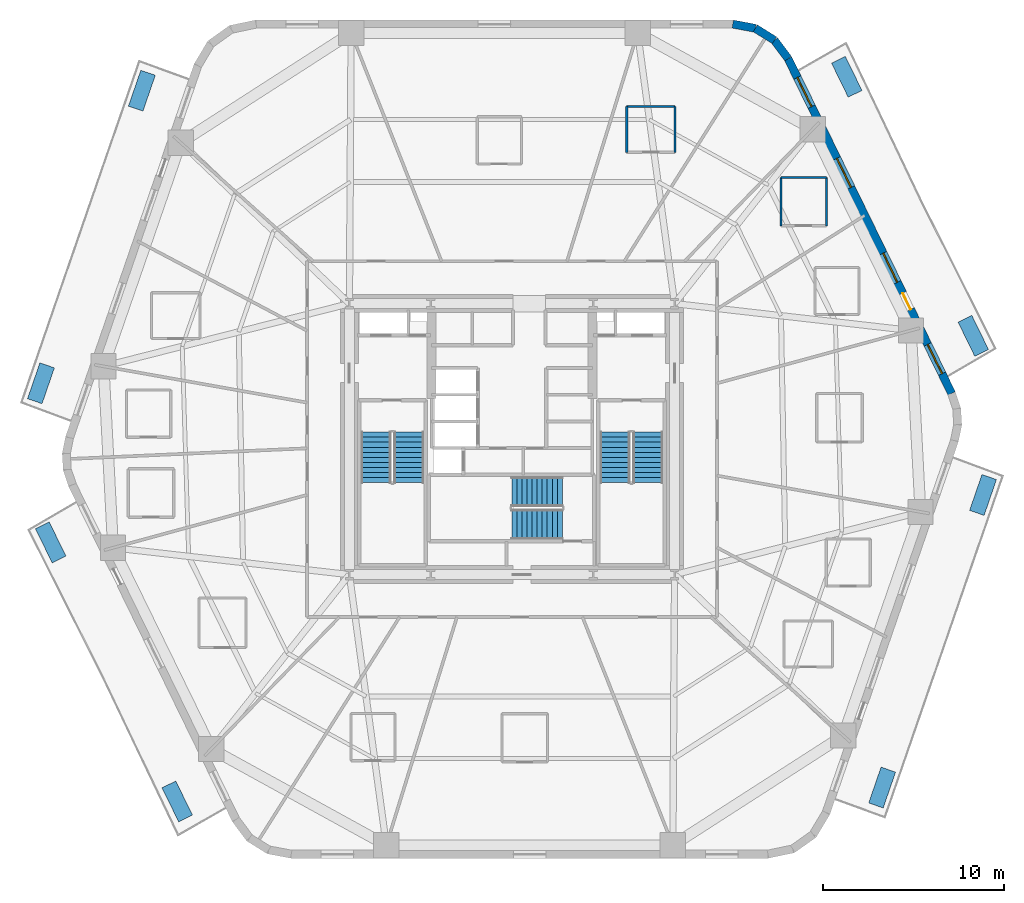
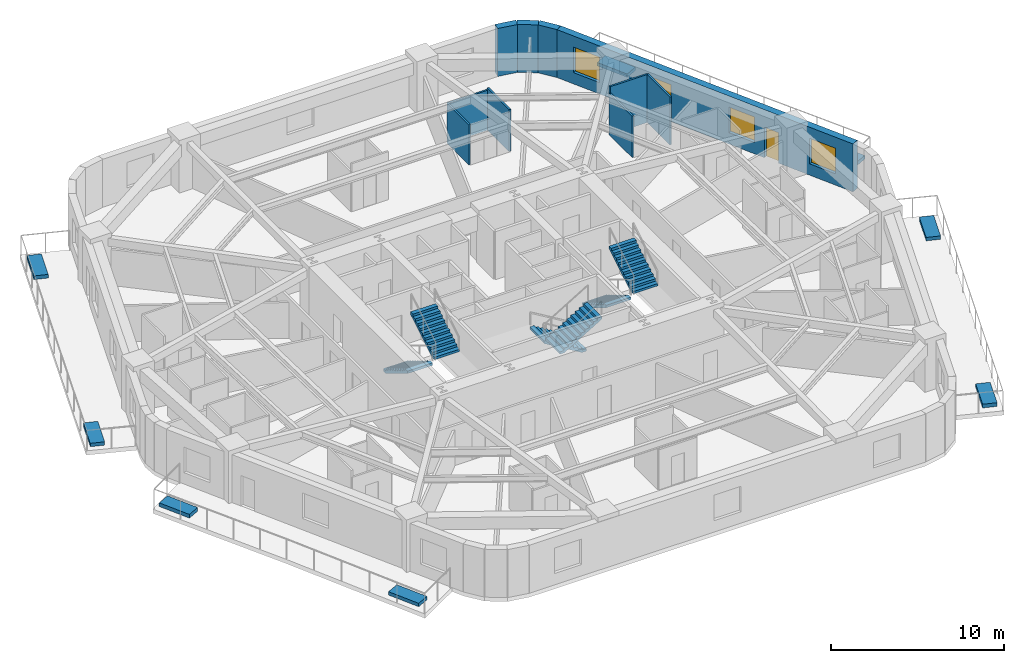
# One storey, part 7 of 10: 10 walls, 8 discrete accessories, 6 stair flights, 4 windows, 1 door, 5 openings, 3 elements without a shape of their own.
"""IFC4 building model written with IfcOpenShell, lengths in metres."""

from ifc_helpers import new_model, si_unit, direction, frame, frame_2d, origin, origin_2d, place, context, subcontext, project, spatial, polyline, rectangle, outline, extrude, material, layer, layer_set, type_object, element, fill, aggregate, save


model = new_model("IFC4")

# Units and contexts
model_context = context("Model", 3, precision=1e-05, world=origin(), true_north=direction((0.0, 1.0)))
body_context = subcontext(model_context, "Body", "Model", "MODEL_VIEW")
ifc_project = project(units=[si_unit("LENGTHUNIT", "METRE"), si_unit("AREAUNIT", "SQUARE_METRE"), si_unit("VOLUMEUNIT", "CUBIC_METRE"), si_unit("PLANEANGLEUNIT", "RADIAN"), si_unit("MASSUNIT", "GRAM", prefix="KILO")], contexts=[model_context])

# Site, building, storey
site_placement = place(None, origin())
site = spatial("IfcSite", under=ifc_project, at=site_placement, CompositionType="ELEMENT")
building_placement = place(site_placement, origin())
building = spatial("IfcBuilding", under=site, at=building_placement, Name="Kilnhurst Terrace Hotel", CompositionType="ELEMENT")
storey_placement = place(building_placement, frame((0.0, 0.0, 82.300048828125)))
storey = spatial("IfcBuildingStorey", under=building, at=storey_placement, Name="L19", CompositionType="ELEMENT", Elevation=82.300048828125)

# Walls
ifc_material_1 = material(Name="Precast concrete C40/50", Category="concrete")
ifc_layer_1 = layer(ifc_material_1, 0.449951171875, Name="Precast concrete C40/50")
ifc_layer_set_1 = layer_set([ifc_layer_1], Name="Precast concrete C40/50")
wall_type_1 = type_object("IfcWallType", Name="WL-BRK-450", PredefinedType="SOLIDWALL", material=ifc_layer_set_1)
wall_1_placement = place(storey_placement, frame((15.28369140625, 21.0625, 0.0), z_axis=(0.0, 0.0, 1.0), x_axis=(-0.597595366449, 0.801797841104, 0.0)))
element("IfcWall", 1, at=wall_1_placement, inside=storey, type_object=wall_type_1, Name="L19 Rounded Corner Brick Wall C4.1", PredefinedType="SOLIDWALL", context=body_context, shape_type="SweptSolid", body=[
    extrude(rectangle(XDim=1.2685546875, YDim=0.449951171875, at=frame_2d((0.63427734375, 0.0))), origin(), (0.0, 0.0, 1.0), 3.3798828125),
])
wall_2_placement = place(storey_placement, frame((14.525634765625, 22.07958984375, 0.0), z_axis=(0.0, 0.0, 1.0), x_axis=(-0.848185203596, 0.529699783275, 0.0)))
element("IfcWall", 2, at=wall_2_placement, inside=storey, type_object=wall_type_1, Name="L19 Rounded Corner Brick Wall C4.2", PredefinedType="SOLIDWALL", context=body_context, shape_type="SweptSolid", body=[
    extrude(rectangle(XDim=1.247314453125, YDim=0.449951171875, at=frame_2d((0.62353515625, 0.0))), origin(), (0.0, 0.0, 1.0), 3.3798828125),
])
wall_3_placement = place(storey_placement, frame((13.4677734375, 22.740234375, 0.0), z_axis=(0.0, 0.0, 1.0), x_axis=(-0.982717174228, 0.185113358451, 0.0)))
element("IfcWall", 3, at=wall_3_placement, inside=storey, type_object=wall_type_1, Name="L19 Rounded Corner Brick Wall C4.3", PredefinedType="SOLIDWALL", context=body_context, shape_type="SweptSolid", body=[
    extrude(rectangle(XDim=1.268798828125, YDim=0.449951171875, at=frame_2d((0.63427734375, 0.0))), origin(), (0.0, 0.0, 1.0), 3.3798828125),
])

# Wall, openings, door, windows
wall_4_placement = place(storey_placement, frame((24.335693359375, 2.532470703125, 0.0), z_axis=(0.0, 0.0, 1.0), x_axis=(-0.438931326393, 0.898520612291, 0.0)))
wall_4 = element("IfcWall", 4, at=wall_4_placement, inside=storey, type_object=wall_type_1, Name="L19 Exterior Brick Facade Wall F3", PredefinedType="SOLIDWALL", context=body_context, shape_type="SweptSolid", body=[
    extrude(rectangle(XDim=20.622802734375, YDim=0.449951171875, at=frame_2d((10.3115234375, 0.0))), origin(), (0.0, 0.0, 1.0), 3.3798828125),
])
opening_1_placement = place(wall_4_placement, frame((5.1708984375, 0.0, 0.0)))
opening_1 = element("IfcOpeningElement", 5, at=opening_1_placement, cuts=wall_4, Name="Opening BD-1000", PredefinedType="OPENING", context=body_context, shape_type="SweptSolid", body=[
    extrude(rectangle(XDim=1.0, YDim=2.14990234375, at=frame_2d((0.5, 1.074951171875))), frame((0.0, 0.23486328125, 0.0), z_axis=(0.0, -1.0, 0.0), x_axis=(1.0, 0.0, 0.0)), (0.0, 0.0, 1.0), 0.469970703125),
])
opening_2_placement = place(wall_4_placement, frame((6.842041015625, 0.0, 0.800048828125)))
opening_2 = element("IfcOpeningElement", 6, at=opening_2_placement, cuts=wall_4, Name="Opening W-01", PredefinedType="OPENING", context=body_context, shape_type="SweptSolid", body=[
    extrude(rectangle(XDim=1.800048828125, YDim=1.800048828125, at=frame_2d((0.89990234375, 0.89990234375))), frame((0.0, 0.23486328125, 0.0), z_axis=(0.0, -1.0, 0.0), x_axis=(1.0, 0.0, 0.0)), (0.0, 0.0, 1.0), 0.469970703125),
])
opening_3_placement = place(wall_4_placement, frame((12.68310546875, 0.0, 0.800048828125)))
opening_3 = element("IfcOpeningElement", 7, at=opening_3_placement, cuts=wall_4, Name="Opening W-01", PredefinedType="OPENING", context=body_context, shape_type="SweptSolid", body=[
    extrude(rectangle(XDim=1.800048828125, YDim=1.800048828125, at=frame_2d((0.89990234375, 0.89990234375))), frame((0.0, 0.23486328125, 0.0), z_axis=(0.0, -1.0, 0.0), x_axis=(1.0, 0.0, 0.0)), (0.0, 0.0, 1.0), 0.469970703125),
])
opening_4_placement = place(wall_4_placement, frame((17.659912109375, 0.0, 0.800048828125)))
opening_4 = element("IfcOpeningElement", 8, at=opening_4_placement, cuts=wall_4, Name="Opening W-01", PredefinedType="OPENING", context=body_context, shape_type="SweptSolid", body=[
    extrude(rectangle(XDim=1.800048828125, YDim=1.800048828125, at=frame_2d((0.89990234375, 0.89990234375))), frame((0.0, 0.23486328125, 0.0), z_axis=(0.0, -1.0, 0.0), x_axis=(1.0, 0.0, 0.0)), (0.0, 0.0, 1.0), 0.469970703125),
])
opening_5_placement = place(wall_4_placement, frame((1.214111328125, 0.0, 0.800048828125)))
opening_5 = element("IfcOpeningElement", 9, at=opening_5_placement, cuts=wall_4, Name="Opening W-01", PredefinedType="OPENING", context=body_context, shape_type="SweptSolid", body=[
    extrude(rectangle(XDim=1.800048828125, YDim=1.800048828125, at=frame_2d((0.89990234375, 0.89990234375))), frame((0.0, 0.23486328125, 0.0), z_axis=(0.0, -1.0, 0.0), x_axis=(1.0, 0.0, 0.0)), (0.0, 0.0, 1.0), 0.469970703125),
])
ifc_material_2 = material(Name="Thermally Broken Bronze Aluminium Alloy 6063-T6 and Laminated Glass", Category="aluminium")
door_type = type_object("IfcDoorType", Name="DR-EXT-BAL-1000", OperationType="NOTDEFINED", PredefinedType="DOOR", material=ifc_material_2)
door_placement = place(opening_1_placement, origin())
door = element("IfcDoor", 10, at=door_placement, inside=storey, type_object=door_type, Name="L19 Planted Balcony Door BAL-L1B", OperationType="SINGLE_SWING_LEFT", OverallHeight=2.14990234375, OverallWidth=1.0, PredefinedType="DOOR", context=body_context, shape_type="SweptSolid", body=[
    extrude(rectangle(XDim=1.0, YDim=2.14990234375, at=frame_2d((0.5, 1.074951171875))), frame((0.0, 0.02490234375, 0.0), z_axis=(0.0, -1.0, 0.0), x_axis=(1.0, 0.0, 0.0)), (0.0, 0.0, 1.0), 0.050048828125),
])
fill(opening_1, door)
ifc_material_3 = material(Name="Thermally Broken Bronze Aluminium Alloy 6063-T6 and Low-E Glass", Category="aluminium")
window_type = type_object("IfcWindowType", Name="WIN-1800X1800", PartitioningType="SINGLE_PANEL", PredefinedType="WINDOW", material=ifc_material_3)
window_1_placement = place(opening_2_placement, origin())
window_1 = element("IfcWindow", 11, at=window_1_placement, inside=storey, type_object=window_type, Name="L19 Deep-Set Masonry Window F3.1", OverallHeight=1.800048828125, OverallWidth=1.800048828125, PartitioningType="SINGLE_PANEL", PredefinedType="WINDOW", context=body_context, shape_type="SweptSolid", body=[
    extrude(rectangle(XDim=1.800048828125, YDim=1.800048828125, at=frame_2d((0.89990234375, 0.89990234375))), frame((0.0, 0.030029296875, 0.0), z_axis=(0.0, -1.0, 0.0), x_axis=(1.0, 0.0, 0.0)), (0.0, 0.0, 1.0), 0.06005859375),
])
fill(opening_2, window_1)
window_2_placement = place(opening_3_placement, origin())
window_2 = element("IfcWindow", 12, at=window_2_placement, inside=storey, type_object=window_type, Name="L19 Deep-Set Masonry Window F3.2", OverallHeight=1.800048828125, OverallWidth=1.800048828125, PartitioningType="SINGLE_PANEL", PredefinedType="WINDOW", context=body_context, shape_type="SweptSolid", body=[
    extrude(rectangle(XDim=1.800048828125, YDim=1.800048828125, at=frame_2d((0.89990234375, 0.89990234375))), frame((0.0, 0.030029296875, 0.0), z_axis=(0.0, -1.0, 0.0), x_axis=(1.0, 0.0, 0.0)), (0.0, 0.0, 1.0), 0.06005859375),
])
fill(opening_3, window_2)
window_3_placement = place(opening_4_placement, origin())
window_3 = element("IfcWindow", 13, at=window_3_placement, inside=storey, type_object=window_type, Name="L19 Deep-Set Masonry Window F3.3", OverallHeight=1.800048828125, OverallWidth=1.800048828125, PartitioningType="SINGLE_PANEL", PredefinedType="WINDOW", context=body_context, shape_type="SweptSolid", body=[
    extrude(rectangle(XDim=1.800048828125, YDim=1.800048828125, at=frame_2d((0.89990234375, 0.89990234375))), frame((0.0, 0.030029296875, 0.0), z_axis=(0.0, -1.0, 0.0), x_axis=(1.0, 0.0, 0.0)), (0.0, 0.0, 1.0), 0.06005859375),
])
fill(opening_4, window_3)
window_4_placement = place(opening_5_placement, origin())
window_4 = element("IfcWindow", 14, at=window_4_placement, inside=storey, type_object=window_type, Name="L19 Deep-Set Masonry Window F3.4", OverallHeight=1.800048828125, OverallWidth=1.800048828125, PartitioningType="SINGLE_PANEL", PredefinedType="WINDOW", context=body_context, shape_type="SweptSolid", body=[
    extrude(rectangle(XDim=1.800048828125, YDim=1.800048828125, at=frame_2d((0.89990234375, 0.89990234375))), frame((0.0, 0.030029296875, 0.0), z_axis=(0.0, -1.0, 0.0), x_axis=(1.0, 0.0, 0.0)), (0.0, 0.0, 1.0), 0.06005859375),
])
fill(opening_5, window_4)

# Walls
ifc_material_4 = material(Name="120 mm Moisture-Resistant Tile-Backed Bathroom Partition")
ifc_layer_2 = layer(ifc_material_4, 0.1201171875, Name="120 mm Moisture-Resistant Tile-Backed Bathroom Partition")
ifc_layer_set_2 = layer_set([ifc_layer_2], Name="120 mm Moisture-Resistant Tile-Backed Bathroom Partition")
wall_type_2 = type_object("IfcWallType", Name="WL-PART-120", PredefinedType="PARTITIONING", material=ifc_layer_set_2)
wall_5_placement = place(storey_placement, frame((17.40087890625, 11.80908203125, 0.0), z_axis=(0.0, 0.0, 1.0), x_axis=(0.0, 1.0, 0.0)))
element("IfcWall", 15, at=wall_5_placement, inside=storey, type_object=wall_type_2, Name="L19 Interior Wall WL-L19-BTH-02-2", PredefinedType="PARTITIONING", context=body_context, shape_type="SweptSolid", body=[
    extrude(rectangle(XDim=2.679931640625, YDim=0.1201171875, at=frame_2d((1.33984375, 0.0))), origin(), (0.0, 0.0, 1.0), 3.3798828125),
])
wall_6_placement = place(storey_placement, frame((17.40087890625, 14.489013671875, 0.0), z_axis=(0.0, 0.0, 1.0), x_axis=(-1.0, 0.0, 0.0)))
element("IfcWall", 16, at=wall_6_placement, inside=storey, type_object=wall_type_2, Name="L19 Interior Wall WL-L19-BTH-02-3", PredefinedType="PARTITIONING", context=body_context, shape_type="SweptSolid", body=[
    extrude(rectangle(XDim=2.519775390625, YDim=0.1201171875, at=frame_2d((1.259765625, 0.0))), origin(), (0.0, 0.0, 1.0), 3.3798828125),
])
wall_7_placement = place(storey_placement, frame((14.881103515625, 14.489013671875, 0.0), z_axis=(0.0, 0.0, 1.0), x_axis=(0.0, -1.0, 0.0)))
element("IfcWall", 17, at=wall_7_placement, inside=storey, type_object=wall_type_2, Name="L19 Interior Wall WL-L19-BTH-02-4", PredefinedType="PARTITIONING", context=body_context, shape_type="SweptSolid", body=[
    extrude(rectangle(XDim=2.679931640625, YDim=0.1201171875, at=frame_2d((1.33984375, 0.0))), origin(), (0.0, 0.0, 1.0), 2.906494140625),
])
wall_8_placement = place(storey_placement, frame((9.031005859375, 15.876953125, 0.0), z_axis=(0.0, 0.0, 1.0), x_axis=(0.0, 1.0, 0.0)))
element("IfcWall", 18, at=wall_8_placement, inside=storey, type_object=wall_type_2, Name="L19 Interior Wall WL-L19-BTH-04-2", PredefinedType="PARTITIONING", context=body_context, shape_type="SweptSolid", body=[
    extrude(rectangle(XDim=2.5400390625, YDim=0.1201171875, at=frame_2d((1.27001953125, 0.0))), origin(), (0.0, 0.0, 1.0), 2.9521484375),
])
wall_9_placement = place(storey_placement, frame((9.031005859375, 18.4169921875, 0.0), z_axis=(0.0, 0.0, 1.0), x_axis=(-1.0, 0.0, 0.0)))
element("IfcWall", 19, at=wall_9_placement, inside=storey, type_object=wall_type_2, Name="L19 Interior Wall WL-L19-BTH-04-3", PredefinedType="PARTITIONING", context=body_context, shape_type="SweptSolid", body=[
    extrude(rectangle(XDim=2.679931640625, YDim=0.1201171875, at=frame_2d((1.33984375, 0.0))), origin(), (0.0, 0.0, 1.0), 2.820068359375),
])
wall_10_placement = place(storey_placement, frame((6.35107421875, 18.4169921875, 0.0), z_axis=(0.0, 0.0, 1.0), x_axis=(0.0, -1.0, 0.0)))
element("IfcWall", 20, at=wall_10_placement, inside=storey, type_object=wall_type_2, Name="L19 Interior Wall WL-L19-BTH-04-4", PredefinedType="PARTITIONING", context=body_context, shape_type="SweptSolid", body=[
    extrude(rectangle(XDim=2.5400390625, YDim=0.1201171875, at=frame_2d((1.27001953125, 0.0))), origin(), (0.0, 0.0, 1.0), 2.8203125),
])

# Stair, stair flights
ifc_material_5 = material(Name="Concrete C50/60", Category="concrete")
stair_type = type_object("IfcStairType", Name="STR-CORE-1660", PredefinedType="HALF_TURN_STAIR", material=ifc_material_5)
stair_1_placement = place(storey_placement, origin())
stair_1 = element("IfcStair", 21, at=stair_1_placement, inside=storey, type_object=stair_type, Name="L19 ST-1", PredefinedType="HALF_TURN_STAIR")
stair_flight_type = type_object("IfcStairFlightType", Name="FLT-RC-1660", PredefinedType="STRAIGHT", material=ifc_material_5)
stair_flight_1_placement = place(storey_placement, frame((-7.52001953125, 0.389892578125, 0.0), z_axis=(0.0, 0.0, 1.0), x_axis=(0.0, -1.0, 0.0)))
stair_flight_1 = element("IfcStairFlight", 22, at=stair_flight_1_placement, type_object=stair_flight_type, Name="ST-1 flight 1", NumberOfRisers=11, NumberOfTreads=10, PredefinedType="STRAIGHT", RiserHeight=0.168181818, TreadLength=0.28, context=body_context, shape_type="SweptSolid", body=[
    extrude(outline(polyline([(0.0, 0.0), (0.0, 0.168212890625), (0.280029296875, 0.168212890625), (0.280029296875, 0.33642578125), (0.56005859375, 0.33642578125), (0.56005859375, 0.504638671875), (0.840087890625, 0.504638671875), (0.840087890625, 0.672607421875), (1.1201171875, 0.672607421875), (1.1201171875, 0.8408203125), (1.39990234375, 0.8408203125), (1.39990234375, 1.009033203125), (1.679931640625, 1.009033203125), (1.679931640625, 1.17724609375), (1.9599609375, 1.17724609375), (1.9599609375, 1.345458984375), (2.239990234375, 1.345458984375), (2.239990234375, 1.513671875), (2.52001953125, 1.513671875), (2.52001953125, 1.681884765625), (2.800048828125, 1.681884765625), (2.800048828125, 1.85009765625), (2.800048828125, 1.5068359375), (0.291015625, 0.0), (0.0, 0.0)])), frame((0.0, 0.830078125, 0.0), z_axis=(0.0, -1.0, 0.0), x_axis=(1.0, 0.0, 0.0)), (0.0, 0.0, 1.0), 1.659912109375),
])
stair_flight_2_placement = place(storey_placement, frame((-5.7099609375, -2.409912109375, 1.849853515625), z_axis=(0.0, 0.0, 1.0), x_axis=(0.0, 1.0, 0.0)))
stair_flight_2 = element("IfcStairFlight", 23, at=stair_flight_2_placement, type_object=stair_flight_type, Name="ST-1 flight 2", NumberOfRisers=11, NumberOfTreads=10, PredefinedType="STRAIGHT", RiserHeight=0.168181818, TreadLength=0.28, context=body_context, shape_type="SweptSolid", body=[
    extrude(outline(polyline([(0.0, 0.0), (0.0, 0.168212890625), (0.280029296875, 0.168212890625), (0.280029296875, 0.33642578125), (0.56005859375, 0.33642578125), (0.56005859375, 0.504638671875), (0.840087890625, 0.504638671875), (0.840087890625, 0.672607421875), (1.1201171875, 0.672607421875), (1.1201171875, 0.8408203125), (1.39990234375, 0.8408203125), (1.39990234375, 1.009033203125), (1.679931640625, 1.009033203125), (1.679931640625, 1.17724609375), (1.9599609375, 1.17724609375), (1.9599609375, 1.345458984375), (2.239990234375, 1.345458984375), (2.239990234375, 1.513671875), (2.52001953125, 1.513671875), (2.52001953125, 1.681884765625), (2.800048828125, 1.681884765625), (2.800048828125, 1.85009765625), (2.800048828125, 1.5068359375), (0.291015625, 0.0), (0.0, 0.0)])), frame((0.0, 0.830078125, 0.0), z_axis=(0.0, -1.0, 0.0), x_axis=(1.0, 0.0, 0.0)), (0.0, 0.0, 1.0), 1.659912109375),
])
aggregate(stair_1, [stair_flight_1, stair_flight_2])

stair_2_placement = place(storey_placement, origin())
stair_2 = element("IfcStair", 24, at=stair_2_placement, inside=storey, type_object=stair_type, Name="L19 ST-2", PredefinedType="HALF_TURN_STAIR")
stair_flight_3_placement = place(storey_placement, frame((5.7099609375, 0.389892578125, 0.0), z_axis=(0.0, 0.0, 1.0), x_axis=(0.0, -1.0, 0.0)))
stair_flight_3 = element("IfcStairFlight", 25, at=stair_flight_3_placement, type_object=stair_flight_type, Name="ST-2 flight 1", NumberOfRisers=11, NumberOfTreads=10, PredefinedType="STRAIGHT", RiserHeight=0.168181818, TreadLength=0.28, context=body_context, shape_type="SweptSolid", body=[
    extrude(outline(polyline([(0.0, 0.0), (0.0, 0.168212890625), (0.280029296875, 0.168212890625), (0.280029296875, 0.33642578125), (0.56005859375, 0.33642578125), (0.56005859375, 0.504638671875), (0.840087890625, 0.504638671875), (0.840087890625, 0.672607421875), (1.1201171875, 0.672607421875), (1.1201171875, 0.8408203125), (1.39990234375, 0.8408203125), (1.39990234375, 1.009033203125), (1.679931640625, 1.009033203125), (1.679931640625, 1.17724609375), (1.9599609375, 1.17724609375), (1.9599609375, 1.345458984375), (2.239990234375, 1.345458984375), (2.239990234375, 1.513671875), (2.52001953125, 1.513671875), (2.52001953125, 1.681884765625), (2.800048828125, 1.681884765625), (2.800048828125, 1.85009765625), (2.800048828125, 1.5068359375), (0.291015625, 0.0), (0.0, 0.0)])), frame((0.0, 0.830078125, 0.0), z_axis=(0.0, -1.0, 0.0), x_axis=(1.0, 0.0, 0.0)), (0.0, 0.0, 1.0), 1.659912109375),
])
stair_flight_4_placement = place(storey_placement, frame((7.52001953125, -2.409912109375, 1.849853515625), z_axis=(0.0, 0.0, 1.0), x_axis=(0.0, 1.0, 0.0)))
stair_flight_4 = element("IfcStairFlight", 26, at=stair_flight_4_placement, type_object=stair_flight_type, Name="ST-2 flight 2", NumberOfRisers=11, NumberOfTreads=10, PredefinedType="STRAIGHT", RiserHeight=0.168181818, TreadLength=0.28, context=body_context, shape_type="SweptSolid", body=[
    extrude(outline(polyline([(0.0, 0.0), (0.0, 0.168212890625), (0.280029296875, 0.168212890625), (0.280029296875, 0.33642578125), (0.56005859375, 0.33642578125), (0.56005859375, 0.504638671875), (0.840087890625, 0.504638671875), (0.840087890625, 0.672607421875), (1.1201171875, 0.672607421875), (1.1201171875, 0.8408203125), (1.39990234375, 0.8408203125), (1.39990234375, 1.009033203125), (1.679931640625, 1.009033203125), (1.679931640625, 1.17724609375), (1.9599609375, 1.17724609375), (1.9599609375, 1.345458984375), (2.239990234375, 1.345458984375), (2.239990234375, 1.513671875), (2.52001953125, 1.513671875), (2.52001953125, 1.681884765625), (2.800048828125, 1.681884765625), (2.800048828125, 1.85009765625), (2.800048828125, 1.5068359375), (0.291015625, 0.0), (0.0, 0.0)])), frame((0.0, 0.830078125, 0.0), z_axis=(0.0, -1.0, 0.0), x_axis=(1.0, 0.0, 0.0)), (0.0, 0.0, 1.0), 1.659912109375),
])
aggregate(stair_2, [stair_flight_3, stair_flight_4])

stair_3_placement = place(storey_placement, origin())
stair_3 = element("IfcStair", 27, at=stair_3_placement, inside=storey, type_object=stair_type, Name="L19 ST-3", PredefinedType="HALF_TURN_STAIR")
stair_flight_5_placement = place(storey_placement, frame((2.7900390625, -2.909912109375, 0.0), z_axis=(0.0, 0.0, 1.0), x_axis=(-1.0, 0.0, 0.0)))
stair_flight_5 = element("IfcStairFlight", 28, at=stair_flight_5_placement, type_object=stair_flight_type, Name="ST-3 flight 1", NumberOfRisers=11, NumberOfTreads=10, PredefinedType="STRAIGHT", RiserHeight=0.168181818, TreadLength=0.28, context=body_context, shape_type="SweptSolid", body=[
    extrude(outline(polyline([(0.0, 0.0), (0.0, 0.168212890625), (0.280029296875, 0.168212890625), (0.280029296875, 0.33642578125), (0.56005859375, 0.33642578125), (0.56005859375, 0.504638671875), (0.840087890625, 0.504638671875), (0.840087890625, 0.672607421875), (1.1201171875, 0.672607421875), (1.1201171875, 0.8408203125), (1.39990234375, 0.8408203125), (1.39990234375, 1.009033203125), (1.679931640625, 1.009033203125), (1.679931640625, 1.17724609375), (1.9599609375, 1.17724609375), (1.9599609375, 1.345458984375), (2.239990234375, 1.345458984375), (2.239990234375, 1.513671875), (2.52001953125, 1.513671875), (2.52001953125, 1.681884765625), (2.800048828125, 1.681884765625), (2.800048828125, 1.85009765625), (2.800048828125, 1.5068359375), (0.291015625, 0.0), (0.0, 0.0)])), frame((0.0, 0.830078125, 0.0), z_axis=(0.0, -1.0, 0.0), x_axis=(1.0, 0.0, 0.0)), (0.0, 0.0, 1.0), 1.659912109375),
])
stair_flight_6_placement = place(storey_placement, frame((-0.010009765625, -4.719970703125, 1.849853515625), z_axis=(0.0, 0.0, 1.0), x_axis=(1.0, 0.0, 0.0)))
stair_flight_6 = element("IfcStairFlight", 29, at=stair_flight_6_placement, type_object=stair_flight_type, Name="ST-3 flight 2", NumberOfRisers=11, NumberOfTreads=10, PredefinedType="STRAIGHT", RiserHeight=0.168181818, TreadLength=0.28, context=body_context, shape_type="SweptSolid", body=[
    extrude(outline(polyline([(0.0, 0.0), (0.0, 0.168212890625), (0.280029296875, 0.168212890625), (0.280029296875, 0.33642578125), (0.56005859375, 0.33642578125), (0.56005859375, 0.504638671875), (0.840087890625, 0.504638671875), (0.840087890625, 0.672607421875), (1.1201171875, 0.672607421875), (1.1201171875, 0.8408203125), (1.39990234375, 0.8408203125), (1.39990234375, 1.009033203125), (1.679931640625, 1.009033203125), (1.679931640625, 1.17724609375), (1.9599609375, 1.17724609375), (1.9599609375, 1.345458984375), (2.239990234375, 1.345458984375), (2.239990234375, 1.513671875), (2.52001953125, 1.513671875), (2.52001953125, 1.681884765625), (2.800048828125, 1.681884765625), (2.800048828125, 1.85009765625), (2.800048828125, 1.5068359375), (0.291015625, 0.0), (0.0, 0.0)])), frame((0.0, 0.830078125, 0.0), z_axis=(0.0, -1.0, 0.0), x_axis=(1.0, 0.0, 0.0)), (0.0, 0.0, 1.0), 1.659912109375),
])
aggregate(stair_3, [stair_flight_5, stair_flight_6])

# Discrete accessories
ifc_material_6 = material(Name="Precast Concrete C40/50 Shrub Planter", Category="concrete")
discrete_accessory_type_1 = type_object("IfcDiscreteAccessoryType", Name="PLN-SHRUB-240", PredefinedType="USERDEFINED", material=ifc_material_6)
for number, where, z_axis, x_axis, name in (
    (30, (26.073486328125, -3.09130859375, 0.0), (0.0, 0.0, 1.0), (0.326063182175, 0.94534797891, 0.0), "L19 Structural Tree Planter Box PLANTER BAL-L1A.2"),
    (31, (18.52978515625, 20.05615234375, 0.0), (0.0, 0.0, 1.0), (-0.438935789176, 0.898518432188, 0.0), "L19 Structural Tree Planter Box PLANTER BAL-L1B.2"),
    (32, (-26.073486328125, 3.09130859375, 0.0), (0.0, 0.0, 1.0), (-0.326063182175, -0.94534797891, 0.0), "L19 Structural Tree Planter Box PLANTER BAL-L2A.2"),
    (33, (-18.52978515625, -20.05615234375, 0.0), (0.0, 0.0, 1.0), (0.438935789176, -0.898518432188, 0.0), "L19 Structural Tree Planter Box PLANTER BAL-L2B.2"),
):
    element("IfcDiscreteAccessory", number, at=place(storey_placement, frame(where, z_axis=z_axis, x_axis=x_axis)), inside=storey, type_object=discrete_accessory_type_1, Name=name, ObjectType="PLANTER", PredefinedType="USERDEFINED", context=body_context, shape_type="SweptSolid", body=[
        extrude(rectangle(XDim=2.10009765625, YDim=0.85009765625, at=origin_2d()), origin(), (0.0, 0.0, 1.0), 0.239990234375),
    ])
ifc_material_7 = material(Name="Precast Concrete C40/50 Tree Planter", Category="concrete")
discrete_accessory_type_2 = type_object("IfcDiscreteAccessoryType", Name="PLN-TREE-260", PredefinedType="USERDEFINED", material=ifc_material_7)
for number, where, z_axis, x_axis, name in (
    (34, (20.488037109375, -19.285888671875, 0.0), (0.0, 0.0, 1.0), (0.326063182175, 0.94534797891, 0.0), "L19 Structural Tree Planter Box PLANTER BAL-L1A.1"),
    (35, (25.534423828125, 5.717041015625, 0.0), (0.0, 0.0, 1.0), (-0.438935789176, 0.898518432188, 0.0), "L19 Structural Tree Planter Box PLANTER BAL-L1B.1"),
    (36, (-20.488037109375, 19.285888671875, 0.0), (0.0, 0.0, 1.0), (-0.326063182175, -0.94534797891, 0.0), "L19 Structural Tree Planter Box PLANTER BAL-L2A.1"),
    (37, (-25.534423828125, -5.717041015625, 0.0), (0.0, 0.0, 1.0), (0.438935789176, -0.898518432188, 0.0), "L19 Structural Tree Planter Box PLANTER BAL-L2B.1"),
):
    element("IfcDiscreteAccessory", number, at=place(storey_placement, frame(where, z_axis=z_axis, x_axis=x_axis)), inside=storey, type_object=discrete_accessory_type_2, Name=name, ObjectType="PLANTER", PredefinedType="USERDEFINED", context=body_context, shape_type="SweptSolid", body=[
        extrude(rectangle(XDim=2.10009765625, YDim=0.85009765625, at=origin_2d()), origin(), (0.0, 0.0, 1.0), 0.260009765625),
    ])

save(model, "model.ifc")
